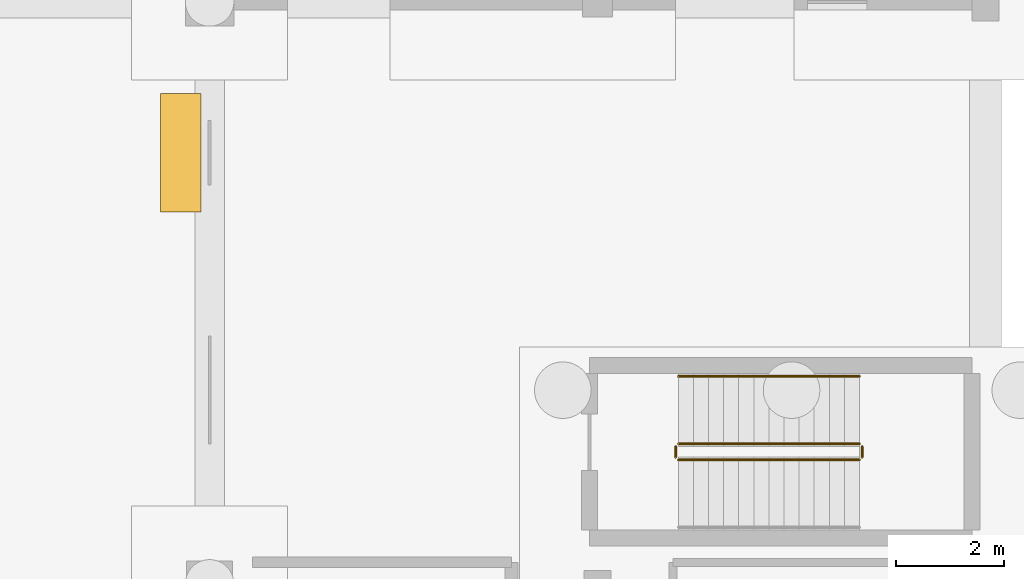
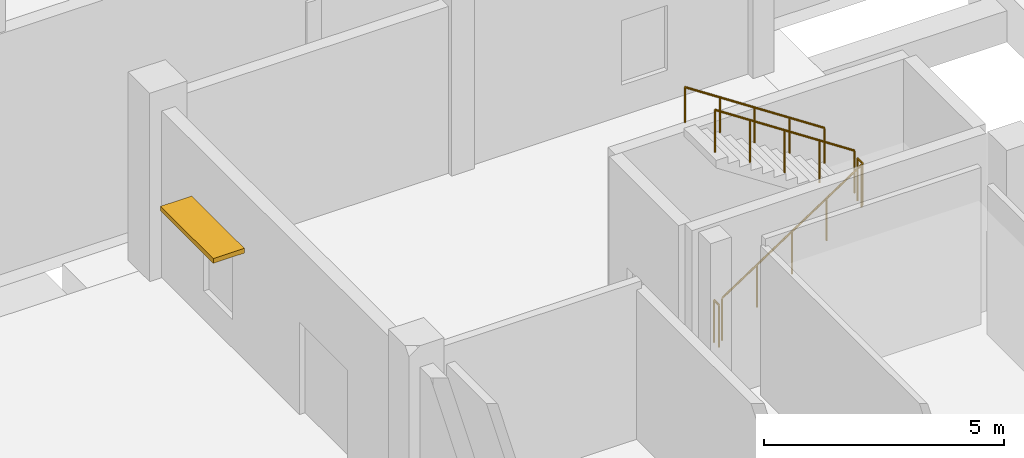
# One storey, part 276 of 285: 5 railings, 1 shading device.
"""IFC4 building model written with IfcOpenShell, lengths in metres."""

from ifc_helpers import new_model, si_unit, direction, frame, origin, origin_2d, place, context, subcontext, project, spatial, rectangle, circle, extrude, material, layer, layer_set, type_object, element, save


model = new_model("IFC4")

# Units and contexts
model_context = context("Model", 3, precision=1e-05, world=origin(), true_north=direction((0.0, 1.0)))
body_context = subcontext(model_context, "Body", "Model", "MODEL_VIEW")
ifc_project = project(units=[si_unit("LENGTHUNIT", "METRE"), si_unit("AREAUNIT", "SQUARE_METRE"), si_unit("VOLUMEUNIT", "CUBIC_METRE"), si_unit("PLANEANGLEUNIT", "RADIAN"), si_unit("MASSUNIT", "GRAM", prefix="KILO")], contexts=[model_context])

# Site, building, storey
site_placement = place(None, origin())
site = spatial("IfcSite", under=ifc_project, at=site_placement, CompositionType="ELEMENT")
building_placement = place(site_placement, origin())
building = spatial("IfcBuilding", under=site, at=building_placement, Name="Solanera Park Tramway Depot", CompositionType="ELEMENT")
storey_placement = place(building_placement, origin())
storey = spatial("IfcBuildingStorey", under=building, at=storey_placement, Name="L00", CompositionType="ELEMENT", Elevation=0.0)

# Railings
ifc_material_1 = material(Name="Brushed stainless steel 316 handrail", Category="steel")
ifc_layer_1 = layer(ifc_material_1, 0.050048828125)
ifc_layer_set_1 = layer_set([ifc_layer_1], Name="Brushed stainless steel 316 handrail")
railing_type_1 = type_object("IfcRailingType", Name="Stair Pitch Tubular Handrail 920", PredefinedType="HANDRAIL", material=ifc_layer_set_1)
railing_1_placement = place(storey_placement, frame((120.06005859375, 47.050048828125, 2.584716796875)))
element("IfcRailing", 1, at=railing_1_placement, inside=storey, type_object=railing_type_1, Name="ST-07 L00 Pitch Handrail 2", PredefinedType="HANDRAIL", context=body_context, shape_type="SweptSolid", body=[
    extrude(circle(Radius=0.02392578125, at=origin_2d()), frame((0.0, 0.0, 0.89599609375), z_axis=(-0.834876476806, 0.0, 0.550437342915), x_axis=(0.0, -1.0, 0.0)), (0.0, 0.0, 1.0), 4.024658203125),
    extrude(circle(Radius=0.02099609375, at=origin_2d()), origin(), (0.0, 0.0, 1.0), 0.871826171875),
    extrude(circle(Radius=0.02099609375, at=origin_2d()), frame((-0.840087890625, 0.0, 0.5537109375)), (0.0, 0.0, 1.0), 0.871826171875),
    extrude(circle(Radius=0.02099609375, at=origin_2d()), frame((-1.68017578125, 0.0, 1.107666015625)), (0.0, 0.0, 1.0), 0.871826171875),
    extrude(circle(Radius=0.02099609375, at=origin_2d()), frame((-2.52001953125, 0.0, 1.66162109375)), (0.0, 0.0, 1.0), 0.871826171875),
    extrude(circle(Radius=0.02099609375, at=origin_2d()), frame((-3.360107421875, 0.0, 2.21533203125)), (0.0, 0.0, 1.0), 0.871826171875),
])
ifc_material_2 = material(Name="Steel AS/NZS 1163 Grade C350L0", Category="steel")
ifc_layer_2 = layer(ifc_material_2, 0.06005859375)
ifc_layer_set_2 = layer_set([ifc_layer_2], Name="Steel AS/NZS 1163 Grade C350L0")
railing_type_2 = type_object("IfcRailingType", Name="Stairwell Guardrail 1100", PredefinedType="GUARDRAIL", material=ifc_layer_set_2)
railing_2_placement = place(storey_placement, frame((116.699951171875, 45.5, 0.1845703125)))
element("IfcRailing", 2, at=railing_2_placement, inside=storey, type_object=railing_type_2, Name="ST-07 L00 Well Guard 1", PredefinedType="GUARDRAIL", context=body_context, shape_type="SweptSolid", body=[
    extrude(circle(Radius=0.02392578125, at=origin_2d()), frame((0.0, 0.0, 1.076171875), z_axis=(0.834876476806, 0.0, 0.550437342915), x_axis=(0.0, 1.0, 0.0)), (0.0, 0.0, 1.0), 4.024658203125),
    extrude(circle(Radius=0.02099609375, at=origin_2d()), origin(), (0.0, 0.0, 1.0), 1.052001953125),
    extrude(circle(Radius=0.02099609375, at=origin_2d()), frame((0.840087890625, 0.0, 0.5537109375)), (0.0, 0.0, 1.0), 1.052001953125),
    extrude(circle(Radius=0.02099609375, at=origin_2d()), frame((1.68017578125, 0.0, 1.107666015625)), (0.0, 0.0, 1.0), 1.052001953125),
    extrude(circle(Radius=0.02099609375, at=origin_2d()), frame((2.52001953125, 0.0, 1.66162109375)), (0.0, 0.0, 1.0), 1.052001953125),
    extrude(circle(Radius=0.02099609375, at=origin_2d()), frame((3.360107421875, 0.0, 2.21533203125)), (0.0, 0.0, 1.0), 1.052001953125),
])
railing_3_placement = place(storey_placement, frame((120.110107421875, 45.550048828125, 2.39990234375)))
element("IfcRailing", 3, at=railing_3_placement, inside=storey, type_object=railing_type_2, Name="ST-07 L00 Well Guard 2", PredefinedType="GUARDRAIL", context=body_context, shape_type="SweptSolid", body=[
    extrude(circle(Radius=0.02392578125, at=origin_2d()), frame((0.0, 0.0, 1.076171875), z_axis=(0.0, 1.0, 0.0), x_axis=(-1.0, 0.0, 0.0)), (0.0, 0.0, 1.0), 0.199951171875),
    extrude(circle(Radius=0.02099609375, at=origin_2d()), origin(), (0.0, 0.0, 1.0), 1.052001953125),
    extrude(circle(Radius=0.02099609375, at=origin_2d()), frame((0.0, 0.199951171875, 0.0)), (0.0, 0.0, 1.0), 1.052001953125),
])
railing_4_placement = place(storey_placement, frame((120.06005859375, 45.800048828125, 2.584716796875)))
element("IfcRailing", 4, at=railing_4_placement, inside=storey, type_object=railing_type_2, Name="ST-07 L00 Well Guard 3", PredefinedType="GUARDRAIL", context=body_context, shape_type="SweptSolid", body=[
    extrude(circle(Radius=0.02392578125, at=origin_2d()), frame((0.0, 0.0, 1.076171875), z_axis=(-0.834876476806, 0.0, 0.550437342915), x_axis=(0.0, -1.0, 0.0)), (0.0, 0.0, 1.0), 4.024658203125),
    extrude(circle(Radius=0.02099609375, at=origin_2d()), origin(), (0.0, 0.0, 1.0), 1.052001953125),
    extrude(circle(Radius=0.02099609375, at=origin_2d()), frame((-0.840087890625, 0.0, 0.5537109375)), (0.0, 0.0, 1.0), 1.052001953125),
    extrude(circle(Radius=0.02099609375, at=origin_2d()), frame((-1.68017578125, 0.0, 1.107666015625)), (0.0, 0.0, 1.0), 1.052001953125),
    extrude(circle(Radius=0.02099609375, at=origin_2d()), frame((-2.52001953125, 0.0, 1.66162109375)), (0.0, 0.0, 1.0), 1.052001953125),
    extrude(circle(Radius=0.02099609375, at=origin_2d()), frame((-3.360107421875, 0.0, 2.21533203125)), (0.0, 0.0, 1.0), 1.052001953125),
])
railing_5_placement = place(storey_placement, frame((116.64990234375, 45.550048828125, 0.0)))
element("IfcRailing", 5, at=railing_5_placement, inside=storey, type_object=railing_type_2, Name="ST-07 L00 Well Guard 4", PredefinedType="GUARDRAIL", context=body_context, shape_type="SweptSolid", body=[
    extrude(circle(Radius=0.02392578125, at=origin_2d()), frame((0.0, 0.0, 1.076171875), z_axis=(0.0, 1.0, 0.0), x_axis=(-1.0, 0.0, 0.0)), (0.0, 0.0, 1.0), 0.199951171875),
    extrude(circle(Radius=0.02099609375, at=origin_2d()), origin(), (0.0, 0.0, 1.0), 1.052001953125),
    extrude(circle(Radius=0.02099609375, at=origin_2d()), frame((0.0, 0.199951171875, 0.0)), (0.0, 0.0, 1.0), 1.052001953125),
])

# Shading device
ifc_material_3 = material(Name="Extruded terracotta brise-soleil hood", Category="masonry")
shading_device_type = type_object("IfcShadingDeviceType", Name="Terracotta Brise-Soleil Sunshade Hood 2200x750", PredefinedType="USERDEFINED", material=ifc_material_3)
shading_device_placement = place(storey_placement, frame((107.465087890625, 51.199951171875, 2.719970703125), z_axis=(0.0, 0.0, 1.0), x_axis=(0.0, -1.0, 0.0)))
element("IfcShadingDevice", 6, at=shading_device_placement, inside=storey, type_object=shading_device_type, Name="Terracotta Brise-Soleil Sunshade #021", ObjectType="SUNSHADE", PredefinedType="USERDEFINED", context=body_context, shape_type="SweptSolid", body=[
    extrude(rectangle(XDim=2.199951171875, YDim=0.75, at=origin_2d()), origin(), (0.0, 0.0, 1.0), 0.1201171875),
])

save(model, "model.ifc")
